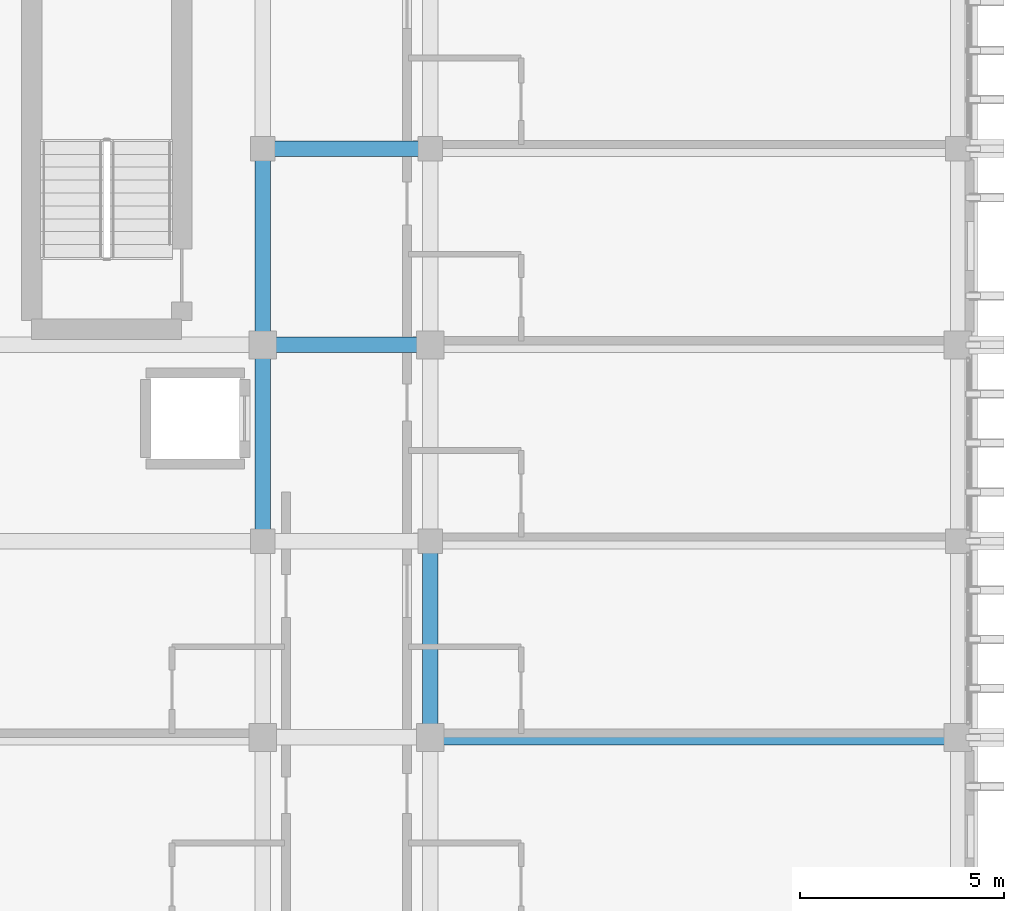
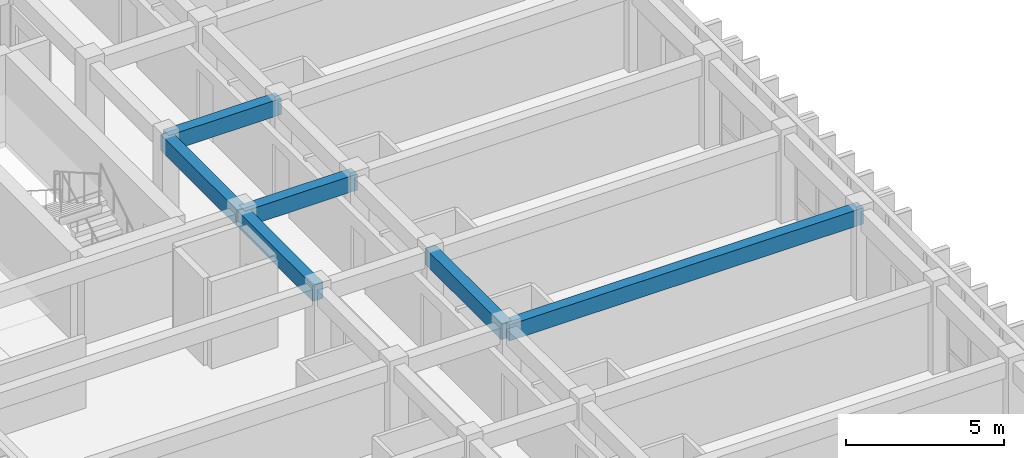
# One storey, part 12 of 53: 6 beams.
"""IFC4 building model written with IfcOpenShell, lengths in metres."""

import ifcopenshell
import ifcopenshell.guid

model = None  # the IFC model being written
_history = None  # IfcOwnerHistory: only IFC2X3 demands one
_inside = {}  # id of a spatial element -> (the spatial element, [elements in it])
_under = {}  # id of a project, library or spatial element -> (it, [spatial elements below it])
_declared = {}  # id of a project -> (the project, [libraries it declares])
_typed = {}  # id of a type object -> (the type object, [elements of that type])
_made_of = {}  # id of a material, layer set ... -> (it, [elements and type objects made of it])


def new_model(schema):
    """Start an empty IFC model of exactly this schema.

    Asked for "IFC4X3", IfcOpenShell would pick the latest addendum, in which some entities
    have other attributes; the version numbers below select the first issue.
    IFC2X3 requires an IfcOwnerHistory on every rooted entity: one is made here for all.
    """
    global model, _history
    if schema == "IFC4X3":
        model = ifcopenshell.file(schema_version=(4, 3, 0, 0))
    else:
        model = ifcopenshell.file(schema=schema)
    _inside.clear()
    _under.clear()
    _declared.clear()
    _typed.clear()
    _made_of.clear()
    _history = None
    if model.schema == "IFC2X3":
        org = make("IfcOrganization", Name="unknown")
        user = make(
            "IfcPersonAndOrganization",
            ThePerson=make("IfcPerson", FamilyName="unknown"),
            TheOrganization=org,
        )
        app = make(
            "IfcApplication",
            ApplicationDeveloper=org,
            Version="unknown",
            ApplicationFullName="unknown",
            ApplicationIdentifier="unknown",
        )
        _history = make(
            "IfcOwnerHistory",
            OwningUser=user,
            OwningApplication=app,
            ChangeAction="ADDED",
            CreationDate=0,
        )
    return model


def make(cls, **values):
    """One entity of the class cls with the attributes given. An attribute that is None is left unset."""
    return model.create_entity(
        cls, **{name: value for name, value in values.items() if value is not None}
    )


def rooted(cls, **values):
    """An entity with a GlobalId (a new one), such as an element, a storey or a relation."""
    return make(cls, GlobalId=ifcopenshell.guid.new(), OwnerHistory=_history, **values)


def si_unit(unit_type, name, prefix=None):
    """IfcSIUnit, for example si_unit("LENGTHUNIT", "METRE", prefix="MILLI")."""
    return make("IfcSIUnit", UnitType=unit_type, Prefix=prefix, Name=name)


def assignment(units):
    """IfcUnitAssignment: the units of a project."""
    return None if units is None else make("IfcUnitAssignment", Units=units)


def point(xyz):
    """IfcCartesianPoint."""
    return None if xyz is None else make("IfcCartesianPoint", Coordinates=xyz)


def direction(xyz):
    """IfcDirection."""
    return None if xyz is None else make("IfcDirection", DirectionRatios=xyz)


def frame(location, z_axis=None, x_axis=None):
    """IfcAxis2Placement3D, a coordinate frame: its origin and axes. An axis left out is left unset."""
    return make(
        "IfcAxis2Placement3D",
        Location=point(location),
        Axis=direction(z_axis),
        RefDirection=direction(x_axis),
    )


def frame_2d(location, x_axis=None):
    """IfcAxis2Placement2D, a coordinate frame in the plane: its origin and x axis."""
    return make(
        "IfcAxis2Placement2D", Location=point(location), RefDirection=direction(x_axis)
    )


def origin():
    """The frame at (0, 0, 0) with its axes left unset."""
    return frame((0.0, 0.0, 0.0))


def origin_2d():
    """The frame at (0, 0) in the plane with its x axis left unset."""
    return frame_2d((0.0, 0.0))


def place(relative_to, where):
    """IfcLocalPlacement: puts the frame where relative to a parent placement (None: the world)."""
    return make(
        "IfcLocalPlacement", PlacementRelTo=relative_to, RelativePlacement=where
    )


def context(
    kind, dimensions, precision=None, world=None, true_north=None, identifier=None
):
    """IfcGeometricRepresentationContext, for example the 3D "Model" context."""
    return make(
        "IfcGeometricRepresentationContext",
        ContextIdentifier=identifier,
        ContextType=kind,
        CoordinateSpaceDimension=dimensions,
        Precision=precision,
        WorldCoordinateSystem=world,
        TrueNorth=true_north,
    )


def subcontext(parent, identifier, kind, view, scale=None):
    """IfcGeometricRepresentationSubContext, for example "Body" below "Model"."""
    return make(
        "IfcGeometricRepresentationSubContext",
        ContextIdentifier=identifier,
        ContextType=kind,
        ParentContext=parent,
        TargetScale=scale,
        TargetView=view,
    )


def project(units=None, contexts=None):
    """IfcProject with its units and contexts."""
    return rooted(
        "IfcProject",
        Name="project",
        RepresentationContexts=contexts,
        UnitsInContext=assignment(units),
    )


def spatial(cls, under=None, at=None, **own):
    """A site, building, storey or space (cls), placed at a placement, below another one or the project."""
    s = rooted(cls, ObjectPlacement=at, **own)
    if under is not None:
        _under.setdefault(under.id(), (under, []))[1].append(s)
    return s


def profile(cls, at=None, kind="AREA", **sizes):
    """A parametric profile (cls). Its sizes go by their IFC names, for example OverallWidth=200.0."""
    return make(cls, ProfileType=kind, Position=at, **sizes)


def rectangle(**sizes):
    """IfcRectangleProfileDef."""
    return profile("IfcRectangleProfileDef", **sizes)


def extrude(swept, where, along, depth):
    """IfcExtrudedAreaSolid: the profile swept, set in the frame where, extruded along a direction by depth."""
    return make(
        "IfcExtrudedAreaSolid",
        SweptArea=swept,
        Position=where,
        ExtrudedDirection=direction(along),
        Depth=depth,
    )


def shape(context_of_items, identifier, shape_type, items):
    """IfcShapeRepresentation: the items that make up one representation, for example the "Body"."""
    return make(
        "IfcShapeRepresentation",
        ContextOfItems=context_of_items,
        RepresentationIdentifier=identifier,
        RepresentationType=shape_type,
        Items=items,
    )


def material(Name=None, Category=None):
    """IfcMaterial."""
    return make("IfcMaterial", Name=Name, Category=Category)


def material_profile(
    of_material, cross_section, Name=None, Category=None, Priority=None
):
    """IfcMaterialProfile: a cross section and its material."""
    return make(
        "IfcMaterialProfile",
        Name=Name,
        Material=of_material,
        Profile=cross_section,
        Priority=Priority,
        Category=Category,
    )


def profile_set(profiles, Name=None, composite=None):
    """IfcMaterialProfileSet."""
    return make(
        "IfcMaterialProfileSet",
        Name=Name,
        MaterialProfiles=profiles,
        CompositeProfile=composite,
    )


def made_of(thing, what):
    """Note that an element or type object is made of a material, layer set ...; save() writes the relation."""
    if what is not None:
        _made_of.setdefault(what.id(), (what, []))[1].append(thing)
    return thing


def type_object(cls, material=None, **own):
    """A type object (cls), such as IfcWallType, which elements share."""
    return made_of(rooted(cls, **own), material)


def element(
    cls,
    number,
    at=None,
    inside=None,
    cuts=None,
    type_object=None,
    material=None,
    context=None,
    identifier="Body",
    shape_type=None,
    held_by="IfcProductDefinitionShape",
    body=None,
    shapes=None,
    **own,
):
    """One element of the class cls, such as IfcWall. Its Tag is "e" and its number.

    at: its placement. inside: the storey or other place that contains it. cuts: it is an
    opening in that element (IfcRelVoidsElement). A single representation is given by context,
    identifier, shape_type and body (its items); several are given by shapes. held_by: the class
    of the entity that holds the representations. save() writes the other relations.
    """
    e = rooted(cls, Tag="e%d" % number, ObjectPlacement=at, **own)
    if body is not None:
        shapes = [shape(context, identifier, shape_type, body)]
    if shapes is not None:
        e.Representation = make(held_by, Representations=shapes)
    if inside is not None:
        _inside.setdefault(inside.id(), (inside, []))[1].append(e)
    if cuts is not None:
        rooted(
            "IfcRelVoidsElement", RelatingBuildingElement=cuts, RelatedOpeningElement=e
        )
    if type_object is not None:
        _typed.setdefault(type_object.id(), (type_object, []))[1].append(e)
    return made_of(e, material)


def aggregate(whole, parts):
    """IfcRelAggregates: a whole, such as a stair, and the parts it consists of."""
    return rooted("IfcRelAggregates", RelatingObject=whole, RelatedObjects=parts)


def save(model, path):
    """Write the relations noted so far, then the file.

    IfcRelAggregates (storeys below a building ...), IfcRelContainedInSpatialStructure (elements
    in a storey), IfcRelDefinesByType, IfcRelAssociatesMaterial and IfcRelDeclares: one each for
    every whole, place, type object, material and project.
    """
    for whole, parts in _under.values():
        aggregate(whole, parts)
    for where, things in _inside.values():
        rooted(
            "IfcRelContainedInSpatialStructure",
            RelatedElements=things,
            RelatingStructure=where,
        )
    for kind, things in _typed.values():
        rooted("IfcRelDefinesByType", RelatedObjects=things, RelatingType=kind)
    for what, things in _made_of.values():
        rooted("IfcRelAssociatesMaterial", RelatedObjects=things, RelatingMaterial=what)
    for by, libraries in _declared.values():
        rooted("IfcRelDeclares", RelatingContext=by, RelatedDefinitions=libraries)
    model.write(path)


model = new_model("IFC4")

# Units and contexts
model_context = context("Model", 3, precision=1e-05, world=origin(), true_north=direction((0.0, 1.0)))
body_context = subcontext(model_context, "Body", "Model", "MODEL_VIEW")
ifc_project = project(units=[si_unit("LENGTHUNIT", "METRE"), si_unit("AREAUNIT", "SQUARE_METRE"), si_unit("VOLUMEUNIT", "CUBIC_METRE"), si_unit("PLANEANGLEUNIT", "RADIAN"), si_unit("MASSUNIT", "GRAM", prefix="KILO")], contexts=[model_context])

# Site, building, storey
site_placement = place(None, origin())
site = spatial("IfcSite", under=ifc_project, at=site_placement, CompositionType="ELEMENT")
building_placement = place(site_placement, origin())
building = spatial("IfcBuilding", under=site, at=building_placement, Name="Nakhvara Creek Congress Hotel", CompositionType="ELEMENT")
storey_placement = place(building_placement, frame((0.0, 0.0, 35.39990234375)))
storey = spatial("IfcBuildingStorey", under=building, at=storey_placement, Name="L08", CompositionType="ELEMENT", Elevation=35.39990234375)

# Beams
ifc_material = material(Name="Concrete C40/50", Category="concrete")
ifc_material_profile = material_profile(ifc_material, rectangle(XDim=0.3798828125, YDim=0.6201171875, at=origin_2d()), Name="RC-BM 380x620", Category="LoadBearing")
ifc_profile_set = profile_set([ifc_material_profile], Name="Concrete C40/50")
beam_type = type_object("IfcBeamType", Name="BM-RC-380X620", PredefinedType="BEAM", material=ifc_profile_set)
beam_1_placement = place(storey_placement, frame((162.35009765625, 76.800048828125, 3.050048828125), z_axis=(1.0, 0.0, 0.0), x_axis=(0.0, 1.0, 0.0)))
element("IfcBeam", 1, at=beam_1_placement, inside=storey, type_object=beam_type, Name="Beam B10-L08-2456", PredefinedType="BEAM", context=body_context, shape_type="SweptSolid", body=[
    extrude(rectangle(XDim=0.3798828125, YDim=0.6201171875, at=origin_2d()), origin(), (0.0, 0.0, 1.0), 4.099853515625),
])
for number, where, z_axis, x_axis, name in (
    (2, (162.35009765625, 72.0, 3.050048828125), (0.0, 1.0, 0.0), (-1.0, 0.0, 0.0), "Beam B10-L08-2457"),
    (3, (162.35009765625, 76.800048828125, 3.050048828125), (0.0, 1.0, 0.0), (-1.0, 0.0, 0.0), "Beam B10-L08-2458"),
):
    element("IfcBeam", number, at=place(storey_placement, frame(where, z_axis=z_axis, x_axis=x_axis)), inside=storey, type_object=beam_type, Name=name, PredefinedType="BEAM", context=body_context, shape_type="SweptSolid", body=[
        extrude(rectangle(XDim=0.3798828125, YDim=0.6201171875, at=origin_2d()), origin(), (0.0, 0.0, 1.0), 4.800048828125),
    ])
beam_2_placement = place(storey_placement, frame((166.449951171875, 67.199951171875, 3.050048828125), z_axis=(1.0, 0.0, 0.0), x_axis=(0.0, 1.0, 0.0)))
element("IfcBeam", 4, at=beam_2_placement, inside=storey, type_object=beam_type, Name="Beam B10-L08-2476", PredefinedType="BEAM", context=body_context, shape_type="SweptSolid", body=[
    extrude(rectangle(XDim=0.3798828125, YDim=0.6201171875, at=origin_2d()), origin(), (0.0, 0.0, 1.0), 12.900146484375),
])
beam_3_placement = place(storey_placement, frame((166.449951171875, 67.199951171875, 3.050048828125), z_axis=(0.0, 1.0, 0.0), x_axis=(-1.0, 0.0, 0.0)))
element("IfcBeam", 5, at=beam_3_placement, inside=storey, type_object=beam_type, Name="Beam B10-L08-2478", PredefinedType="BEAM", context=body_context, shape_type="SweptSolid", body=[
    extrude(rectangle(XDim=0.3798828125, YDim=0.6201171875, at=origin_2d()), origin(), (0.0, 0.0, 1.0), 4.800048828125),
])
beam_4_placement = place(storey_placement, frame((162.35009765625, 81.60009765625, 3.050048828125), z_axis=(1.0, 0.0, 0.0), x_axis=(0.0, 1.0, 0.0)))
element("IfcBeam", 6, at=beam_4_placement, inside=storey, type_object=beam_type, Name="Beam B10-L08-2520", PredefinedType="BEAM", context=body_context, shape_type="SweptSolid", body=[
    extrude(rectangle(XDim=0.3798828125, YDim=0.6201171875, at=origin_2d()), origin(), (0.0, 0.0, 1.0), 4.099853515625),
])

save(model, "model.ifc")
